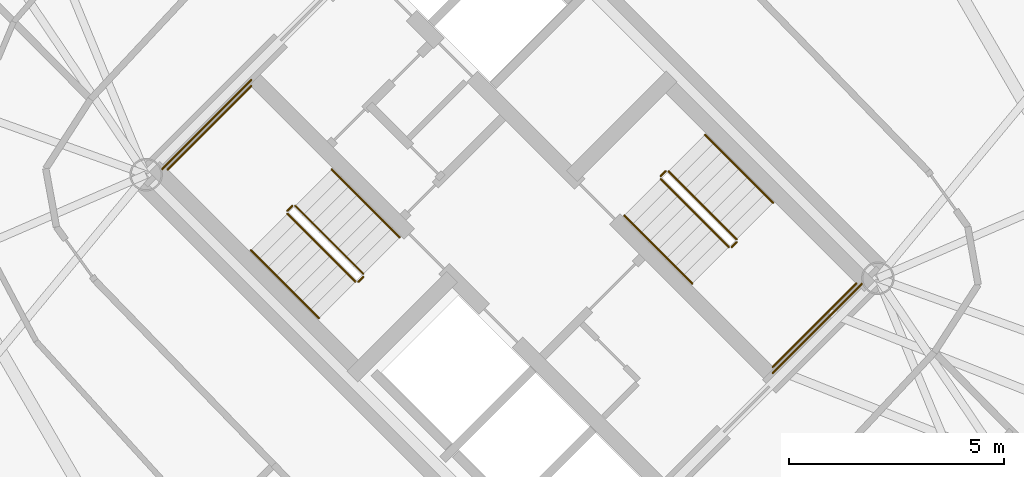
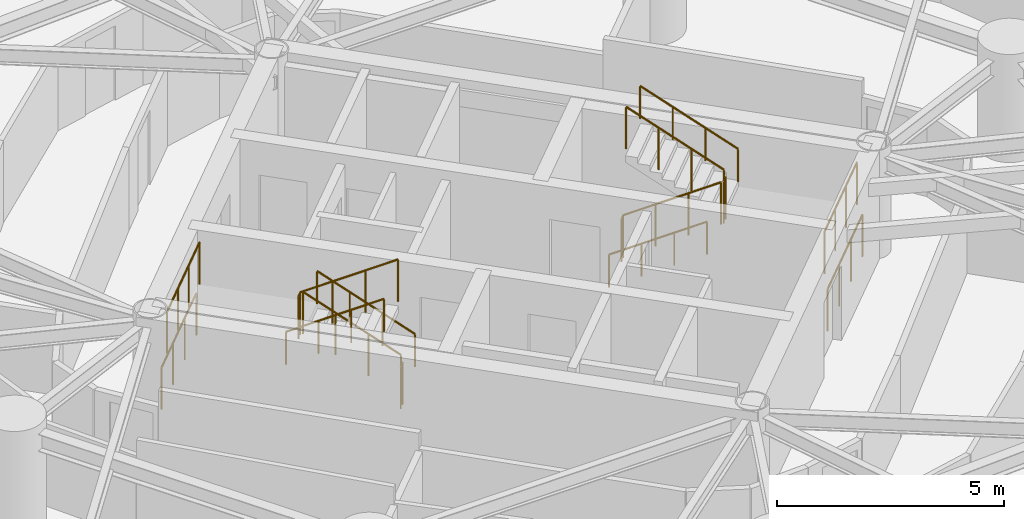
# One storey, part 17 of 17: 16 railings.
"""IFC4 building model written with IfcOpenShell, lengths in metres."""

from ifc_helpers import new_model, si_unit, direction, frame, origin, origin_2d, place, context, subcontext, project, spatial, circle, extrude, material, type_object, element, save


model = new_model("IFC4")

# Units and contexts
model_context = context("Model", 3, precision=1e-05, world=origin(), true_north=direction((0.0, 1.0)))
body_context = subcontext(model_context, "Body", "Model", "MODEL_VIEW")
ifc_project = project(units=[si_unit("LENGTHUNIT", "METRE"), si_unit("AREAUNIT", "SQUARE_METRE"), si_unit("VOLUMEUNIT", "CUBIC_METRE"), si_unit("PLANEANGLEUNIT", "RADIAN"), si_unit("MASSUNIT", "GRAM", prefix="KILO")], contexts=[model_context])

# Site, building, storey
site_placement = place(None, origin())
site = spatial("IfcSite", under=ifc_project, at=site_placement, CompositionType="ELEMENT")
building_placement = place(site_placement, origin())
building = spatial("IfcBuilding", under=site, at=building_placement, Name="Cununo Teusaquillo Station Towers", CompositionType="ELEMENT")
storey_placement = place(building_placement, frame((0.0, 0.0, 90.52001953125)))
storey = spatial("IfcBuildingStorey", under=building, at=storey_placement, Name="L28", CompositionType="ELEMENT", Elevation=90.52001953125)

# Railings
ifc_material_1 = material(Name="Steel EN 10025-2 S355J2", Category="steel")
railing_type_1 = type_object("IfcRailingType", Name="RL-INT-GUARD", PredefinedType="GUARDRAIL", material=ifc_material_1)
railing_1_placement = place(storey_placement, frame((54.03515625, 23.39697265625, 0.16162109375)))
element("IfcRailing", 1, at=railing_1_placement, inside=storey, type_object=railing_type_1, Name="L28 ST-T2-1 stair guard 1", PredefinedType="GUARDRAIL", context=body_context, shape_type="SweptSolid", body=[
    extrude(circle(Radius=0.02392578125, at=origin_2d()), frame((0.0, 0.0, 1.1259765625), z_axis=(-0.612332353853, 0.612332353853, 0.500098167213), x_axis=(-0.707106781187, -0.707106781187, 0.0)), (0.0, 0.0, 1.0), 2.58642578125),
    extrude(circle(Radius=0.02099609375, at=origin_2d()), origin(), (0.0, 0.0, 1.0), 1.101806640625),
    extrude(circle(Radius=0.02099609375, at=origin_2d()), frame((-0.52783203125, 0.52783203125, 0.43115234375)), (0.0, 0.0, 1.0), 1.101806640625),
    extrude(circle(Radius=0.02099609375, at=origin_2d()), frame((-1.055908203125, 1.055908203125, 0.8623046875)), (0.0, 0.0, 1.0), 1.101806640625),
    extrude(circle(Radius=0.02099609375, at=origin_2d()), frame((-1.583740234375, 1.583740234375, 1.29345703125)), (0.0, 0.0, 1.0), 1.101806640625),
])
railing_2_placement = place(storey_placement, frame((52.380615234375, 24.980712890625, 1.455078125)))
element("IfcRailing", 2, at=railing_2_placement, inside=storey, type_object=railing_type_1, Name="L28 ST-T2-1 stair guard 2", PredefinedType="GUARDRAIL", context=body_context, shape_type="SweptSolid", body=[
    extrude(circle(Radius=0.02392578125, at=origin_2d()), frame((0.0, 0.0, 1.1259765625), z_axis=(-0.7078691598, -0.706343579714, 0.0), x_axis=(0.706343579714, -0.7078691598, 0.0)), (0.0, 0.0, 1.0), 0.159912109375),
    extrude(circle(Radius=0.02099609375, at=origin_2d()), origin(), (0.0, 0.0, 1.0), 1.101806640625),
    extrude(circle(Radius=0.02099609375, at=origin_2d()), frame((-0.11328125, -0.113037109375, 0.0)), (0.0, 0.0, 1.0), 1.101806640625),
])
railing_3_placement = place(storey_placement, frame((51.426025390625, 27.77392578125, 1.455078125)))
element("IfcRailing", 3, at=railing_3_placement, inside=storey, type_object=railing_type_1, Name="L28 ST-T2-1 stair guard 3", PredefinedType="GUARDRAIL", context=body_context, shape_type="SweptSolid", body=[
    extrude(circle(Radius=0.02392578125, at=origin_2d()), frame((0.0, 0.0, 1.1259765625), z_axis=(-0.707106781187, -0.707106781187, 0.0), x_axis=(0.707106781187, -0.707106781187, 0.0)), (0.0, 0.0, 1.0), 2.760009765625),
    extrude(circle(Radius=0.02099609375, at=origin_2d()), origin(), (0.0, 0.0, 1.0), 1.101806640625),
    extrude(circle(Radius=0.02099609375, at=origin_2d()), frame((-0.650634765625, -0.650634765625, 0.0)), (0.0, 0.0, 1.0), 1.101806640625),
    extrude(circle(Radius=0.02099609375, at=origin_2d()), frame((-1.301025390625, -1.301025390625, 0.0)), (0.0, 0.0, 1.0), 1.101806640625),
    extrude(circle(Radius=0.02099609375, at=origin_2d()), frame((-1.95166015625, -1.95166015625, 0.0)), (0.0, 0.0, 1.0), 1.101806640625),
])
railing_4_placement = place(storey_placement, frame((52.267333984375, 24.796875, 1.61669921875)))
element("IfcRailing", 4, at=railing_4_placement, inside=storey, type_object=railing_type_1, Name="L28 ST-T2-1 stair guard 4", PredefinedType="GUARDRAIL", context=body_context, shape_type="SweptSolid", body=[
    extrude(circle(Radius=0.02392578125, at=origin_2d()), frame((0.0, 0.0, 1.1259765625), z_axis=(0.612420254088, -0.612325861324, 0.499998471934), x_axis=(0.707052281454, 0.707161276719, 0.0)), (0.0, 0.0, 1.0), 2.58642578125),
    extrude(circle(Radius=0.02099609375, at=origin_2d()), origin(), (0.0, 0.0, 1.0), 1.101806640625),
    extrude(circle(Radius=0.02099609375, at=origin_2d()), frame((0.528076171875, -0.52783203125, 0.43115234375)), (0.0, 0.0, 1.0), 1.101806640625),
    extrude(circle(Radius=0.02099609375, at=origin_2d()), frame((1.055908203125, -1.055908203125, 0.862060546875)), (0.0, 0.0, 1.0), 1.101806640625),
    extrude(circle(Radius=0.02099609375, at=origin_2d()), frame((1.583984375, -1.583740234375, 1.293212890625)), (0.0, 0.0, 1.0), 1.101806640625),
])
railing_5_placement = place(storey_placement, frame((54.03515625, 23.326171875, 0.0)))
element("IfcRailing", 5, at=railing_5_placement, inside=storey, type_object=railing_type_1, Name="L28 ST-T2-1 stair guard 5", PredefinedType="GUARDRAIL", context=body_context, shape_type="SweptSolid", body=[
    extrude(circle(Radius=0.02392578125, at=origin_2d()), frame((0.0, 0.0, 1.1259765625), z_axis=(-0.707106781187, -0.707106781187, 0.0), x_axis=(0.707106781187, -0.707106781187, 0.0)), (0.0, 0.0, 1.0), 0.159912109375),
    extrude(circle(Radius=0.02099609375, at=origin_2d()), origin(), (0.0, 0.0, 1.0), 1.101806640625),
    extrude(circle(Radius=0.02099609375, at=origin_2d()), frame((-0.113037109375, -0.113037109375, 0.0)), (0.0, 0.0, 1.0), 1.101806640625),
])
railing_6_placement = place(storey_placement, frame((51.426025390625, 27.915283203125, 0.0)))
element("IfcRailing", 6, at=railing_6_placement, inside=storey, type_object=railing_type_1, Name="L28 ST-T2-1 stair guard 6", PredefinedType="GUARDRAIL", context=body_context, shape_type="SweptSolid", body=[
    extrude(circle(Radius=0.02392578125, at=origin_2d()), frame((0.0, 0.0, 1.1259765625), z_axis=(-0.707106781187, -0.707106781187, 0.0), x_axis=(0.707106781187, -0.707106781187, 0.0)), (0.0, 0.0, 1.0), 2.9599609375),
    extrude(circle(Radius=0.02099609375, at=origin_2d()), origin(), (0.0, 0.0, 1.0), 1.101806640625),
    extrude(circle(Radius=0.02099609375, at=origin_2d()), frame((-0.69775390625, -0.69775390625, 0.0)), (0.0, 0.0, 1.0), 1.101806640625),
    extrude(circle(Radius=0.02099609375, at=origin_2d()), frame((-1.395263671875, -1.395263671875, 0.0)), (0.0, 0.0, 1.0), 1.101806640625),
    extrude(circle(Radius=0.02099609375, at=origin_2d()), frame((-2.093017578125, -2.093017578125, 0.0)), (0.0, 0.0, 1.0), 1.101806640625),
])
railing_7_placement = place(storey_placement, frame((60.96484375, 25.60302734375, 0.16162109375)))
element("IfcRailing", 7, at=railing_7_placement, inside=storey, type_object=railing_type_1, Name="L28 ST-T2-2 stair guard 1", PredefinedType="GUARDRAIL", context=body_context, shape_type="SweptSolid", body=[
    extrude(circle(Radius=0.02392578125, at=origin_2d()), frame((0.0, 0.0, 1.1259765625), z_axis=(0.612332353853, -0.612332353853, 0.500098167213), x_axis=(0.707106781187, 0.707106781187, 0.0)), (0.0, 0.0, 1.0), 2.58642578125),
    extrude(circle(Radius=0.02099609375, at=origin_2d()), origin(), (0.0, 0.0, 1.0), 1.101806640625),
    extrude(circle(Radius=0.02099609375, at=origin_2d()), frame((0.52783203125, -0.52783203125, 0.43115234375)), (0.0, 0.0, 1.0), 1.101806640625),
    extrude(circle(Radius=0.02099609375, at=origin_2d()), frame((1.055908203125, -1.055908203125, 0.8623046875)), (0.0, 0.0, 1.0), 1.101806640625),
    extrude(circle(Radius=0.02099609375, at=origin_2d()), frame((1.583740234375, -1.583740234375, 1.29345703125)), (0.0, 0.0, 1.0), 1.101806640625),
])
railing_8_placement = place(storey_placement, frame((62.619384765625, 24.019287109375, 1.455078125)))
element("IfcRailing", 8, at=railing_8_placement, inside=storey, type_object=railing_type_1, Name="L28 ST-T2-2 stair guard 2", PredefinedType="GUARDRAIL", context=body_context, shape_type="SweptSolid", body=[
    extrude(circle(Radius=0.02392578125, at=origin_2d()), frame((0.0, 0.0, 1.1259765625), z_axis=(0.7078691598, 0.706343579714, 0.0), x_axis=(-0.706343579714, 0.7078691598, 0.0)), (0.0, 0.0, 1.0), 0.159912109375),
    extrude(circle(Radius=0.02099609375, at=origin_2d()), origin(), (0.0, 0.0, 1.0), 1.101806640625),
    extrude(circle(Radius=0.02099609375, at=origin_2d()), frame((0.11328125, 0.113037109375, 0.0)), (0.0, 0.0, 1.0), 1.101806640625),
])
railing_9_placement = place(storey_placement, frame((63.573974609375, 21.22607421875, 1.455078125)))
element("IfcRailing", 9, at=railing_9_placement, inside=storey, type_object=railing_type_1, Name="L28 ST-T2-2 stair guard 3", PredefinedType="GUARDRAIL", context=body_context, shape_type="SweptSolid", body=[
    extrude(circle(Radius=0.02392578125, at=origin_2d()), frame((0.0, 0.0, 1.1259765625), z_axis=(0.707106781187, 0.707106781187, 0.0), x_axis=(-0.707106781187, 0.707106781187, 0.0)), (0.0, 0.0, 1.0), 2.760009765625),
    extrude(circle(Radius=0.02099609375, at=origin_2d()), origin(), (0.0, 0.0, 1.0), 1.101806640625),
    extrude(circle(Radius=0.02099609375, at=origin_2d()), frame((0.650634765625, 0.650634765625, 0.0)), (0.0, 0.0, 1.0), 1.101806640625),
    extrude(circle(Radius=0.02099609375, at=origin_2d()), frame((1.301025390625, 1.301025390625, 0.0)), (0.0, 0.0, 1.0), 1.101806640625),
    extrude(circle(Radius=0.02099609375, at=origin_2d()), frame((1.95166015625, 1.95166015625, 0.0)), (0.0, 0.0, 1.0), 1.101806640625),
])
railing_10_placement = place(storey_placement, frame((62.732666015625, 24.203125, 1.61669921875)))
element("IfcRailing", 10, at=railing_10_placement, inside=storey, type_object=railing_type_1, Name="L28 ST-T2-2 stair guard 4", PredefinedType="GUARDRAIL", context=body_context, shape_type="SweptSolid", body=[
    extrude(circle(Radius=0.02392578125, at=origin_2d()), frame((0.0, 0.0, 1.1259765625), z_axis=(-0.612420254088, 0.612325861324, 0.499998471934), x_axis=(-0.707052281454, -0.707161276719, 0.0)), (0.0, 0.0, 1.0), 2.58642578125),
    extrude(circle(Radius=0.02099609375, at=origin_2d()), origin(), (0.0, 0.0, 1.0), 1.101806640625),
    extrude(circle(Radius=0.02099609375, at=origin_2d()), frame((-0.528076171875, 0.52783203125, 0.43115234375)), (0.0, 0.0, 1.0), 1.101806640625),
    extrude(circle(Radius=0.02099609375, at=origin_2d()), frame((-1.055908203125, 1.055908203125, 0.862060546875)), (0.0, 0.0, 1.0), 1.101806640625),
    extrude(circle(Radius=0.02099609375, at=origin_2d()), frame((-1.583984375, 1.583740234375, 1.293212890625)), (0.0, 0.0, 1.0), 1.101806640625),
])
railing_11_placement = place(storey_placement, frame((60.96484375, 25.673828125, 0.0)))
element("IfcRailing", 11, at=railing_11_placement, inside=storey, type_object=railing_type_1, Name="L28 ST-T2-2 stair guard 5", PredefinedType="GUARDRAIL", context=body_context, shape_type="SweptSolid", body=[
    extrude(circle(Radius=0.02392578125, at=origin_2d()), frame((0.0, 0.0, 1.1259765625), z_axis=(0.707106781187, 0.707106781187, 0.0), x_axis=(-0.707106781187, 0.707106781187, 0.0)), (0.0, 0.0, 1.0), 0.159912109375),
    extrude(circle(Radius=0.02099609375, at=origin_2d()), origin(), (0.0, 0.0, 1.0), 1.101806640625),
    extrude(circle(Radius=0.02099609375, at=origin_2d()), frame((0.113037109375, 0.113037109375, 0.0)), (0.0, 0.0, 1.0), 1.101806640625),
])
railing_12_placement = place(storey_placement, frame((63.573974609375, 21.084716796875, 0.0)))
element("IfcRailing", 12, at=railing_12_placement, inside=storey, type_object=railing_type_1, Name="L28 ST-T2-2 stair guard 6", PredefinedType="GUARDRAIL", context=body_context, shape_type="SweptSolid", body=[
    extrude(circle(Radius=0.02392578125, at=origin_2d()), frame((0.0, 0.0, 1.1259765625), z_axis=(0.707106781187, 0.707106781187, 0.0), x_axis=(-0.707106781187, 0.707106781187, 0.0)), (0.0, 0.0, 1.0), 2.9599609375),
    extrude(circle(Radius=0.02099609375, at=origin_2d()), origin(), (0.0, 0.0, 1.0), 1.101806640625),
    extrude(circle(Radius=0.02099609375, at=origin_2d()), frame((0.69775390625, 0.69775390625, 0.0)), (0.0, 0.0, 1.0), 1.101806640625),
    extrude(circle(Radius=0.02099609375, at=origin_2d()), frame((1.395263671875, 1.395263671875, 0.0)), (0.0, 0.0, 1.0), 1.101806640625),
    extrude(circle(Radius=0.02099609375, at=origin_2d()), frame((2.093017578125, 2.093017578125, 0.0)), (0.0, 0.0, 1.0), 1.101806640625),
])
ifc_material_2 = material(Name="Steel EN 10025-2 S355J2", Category="steel")
railing_type_2 = type_object("IfcRailingType", Name="RL-INT-HRAIL", PredefinedType="HANDRAIL", material=ifc_material_2)
railing_13_placement = place(storey_placement, frame((54.8837890625, 24.245361328125, 0.16162109375)))
element("IfcRailing", 13, at=railing_13_placement, inside=storey, type_object=railing_type_2, Name="L28 ST-T2-1 stair handrail 1", PredefinedType="HANDRAIL", context=body_context, shape_type="SweptSolid", body=[
    extrude(circle(Radius=0.02392578125, at=origin_2d()), frame((0.0, 0.0, 0.8759765625), z_axis=(-0.612355957468, 0.612355957468, 0.500040361077), x_axis=(-0.707106781187, -0.707106781187, 0.0)), (0.0, 0.0, 1.0), 2.586669921875),
    extrude(circle(Radius=0.02099609375, at=origin_2d()), origin(), (0.0, 0.0, 1.0), 0.851806640625),
    extrude(circle(Radius=0.02099609375, at=origin_2d()), frame((-0.528076171875, 0.528076171875, 0.43115234375)), (0.0, 0.0, 1.0), 0.851806640625),
    extrude(circle(Radius=0.02099609375, at=origin_2d()), frame((-1.055908203125, 1.055908203125, 0.8623046875)), (0.0, 0.0, 1.0), 0.851806640625),
    extrude(circle(Radius=0.02099609375, at=origin_2d()), frame((-1.583984375, 1.583984375, 1.29345703125)), (0.0, 0.0, 1.0), 0.851806640625),
])
railing_14_placement = place(storey_placement, frame((51.4189453125, 23.948486328125, 1.61669921875)))
element("IfcRailing", 14, at=railing_14_placement, inside=storey, type_object=railing_type_2, Name="L28 ST-T2-1 stair handrail 2", PredefinedType="HANDRAIL", context=body_context, shape_type="SweptSolid", body=[
    extrude(circle(Radius=0.02392578125, at=origin_2d()), frame((0.0, 0.0, 0.8759765625), z_axis=(0.612384857071, -0.612384857071, 0.499969572735), x_axis=(0.707106781187, 0.707106781187, 0.0)), (0.0, 0.0, 1.0), 2.586669921875),
    extrude(circle(Radius=0.02099609375, at=origin_2d()), origin(), (0.0, 0.0, 1.0), 0.851806640625),
    extrude(circle(Radius=0.02099609375, at=origin_2d()), frame((0.528076171875, -0.528076171875, 0.43115234375)), (0.0, 0.0, 1.0), 0.851806640625),
    extrude(circle(Radius=0.02099609375, at=origin_2d()), frame((1.055908203125, -1.055908203125, 0.862060546875)), (0.0, 0.0, 1.0), 0.851806640625),
    extrude(circle(Radius=0.02099609375, at=origin_2d()), frame((1.583984375, -1.583984375, 1.293212890625)), (0.0, 0.0, 1.0), 0.851806640625),
])
railing_15_placement = place(storey_placement, frame((60.1162109375, 24.754638671875, 0.16162109375)))
element("IfcRailing", 15, at=railing_15_placement, inside=storey, type_object=railing_type_2, Name="L28 ST-T2-2 stair handrail 1", PredefinedType="HANDRAIL", context=body_context, shape_type="SweptSolid", body=[
    extrude(circle(Radius=0.02392578125, at=origin_2d()), frame((0.0, 0.0, 0.8759765625), z_axis=(0.612355957468, -0.612355957468, 0.500040361077), x_axis=(0.707106781187, 0.707106781187, 0.0)), (0.0, 0.0, 1.0), 2.586669921875),
    extrude(circle(Radius=0.02099609375, at=origin_2d()), origin(), (0.0, 0.0, 1.0), 0.851806640625),
    extrude(circle(Radius=0.02099609375, at=origin_2d()), frame((0.528076171875, -0.528076171875, 0.43115234375)), (0.0, 0.0, 1.0), 0.851806640625),
    extrude(circle(Radius=0.02099609375, at=origin_2d()), frame((1.055908203125, -1.055908203125, 0.8623046875)), (0.0, 0.0, 1.0), 0.851806640625),
    extrude(circle(Radius=0.02099609375, at=origin_2d()), frame((1.583984375, -1.583984375, 1.29345703125)), (0.0, 0.0, 1.0), 0.851806640625),
])
railing_16_placement = place(storey_placement, frame((63.5810546875, 25.051513671875, 1.61669921875)))
element("IfcRailing", 16, at=railing_16_placement, inside=storey, type_object=railing_type_2, Name="L28 ST-T2-2 stair handrail 2", PredefinedType="HANDRAIL", context=body_context, shape_type="SweptSolid", body=[
    extrude(circle(Radius=0.02392578125, at=origin_2d()), frame((0.0, 0.0, 0.8759765625), z_axis=(-0.612384857071, 0.612384857071, 0.499969572735), x_axis=(-0.707106781187, -0.707106781187, 0.0)), (0.0, 0.0, 1.0), 2.586669921875),
    extrude(circle(Radius=0.02099609375, at=origin_2d()), origin(), (0.0, 0.0, 1.0), 0.851806640625),
    extrude(circle(Radius=0.02099609375, at=origin_2d()), frame((-0.528076171875, 0.528076171875, 0.43115234375)), (0.0, 0.0, 1.0), 0.851806640625),
    extrude(circle(Radius=0.02099609375, at=origin_2d()), frame((-1.055908203125, 1.055908203125, 0.862060546875)), (0.0, 0.0, 1.0), 0.851806640625),
    extrude(circle(Radius=0.02099609375, at=origin_2d()), frame((-1.583984375, 1.583984375, 1.293212890625)), (0.0, 0.0, 1.0), 0.851806640625),
])

save(model, "model.ifc")
